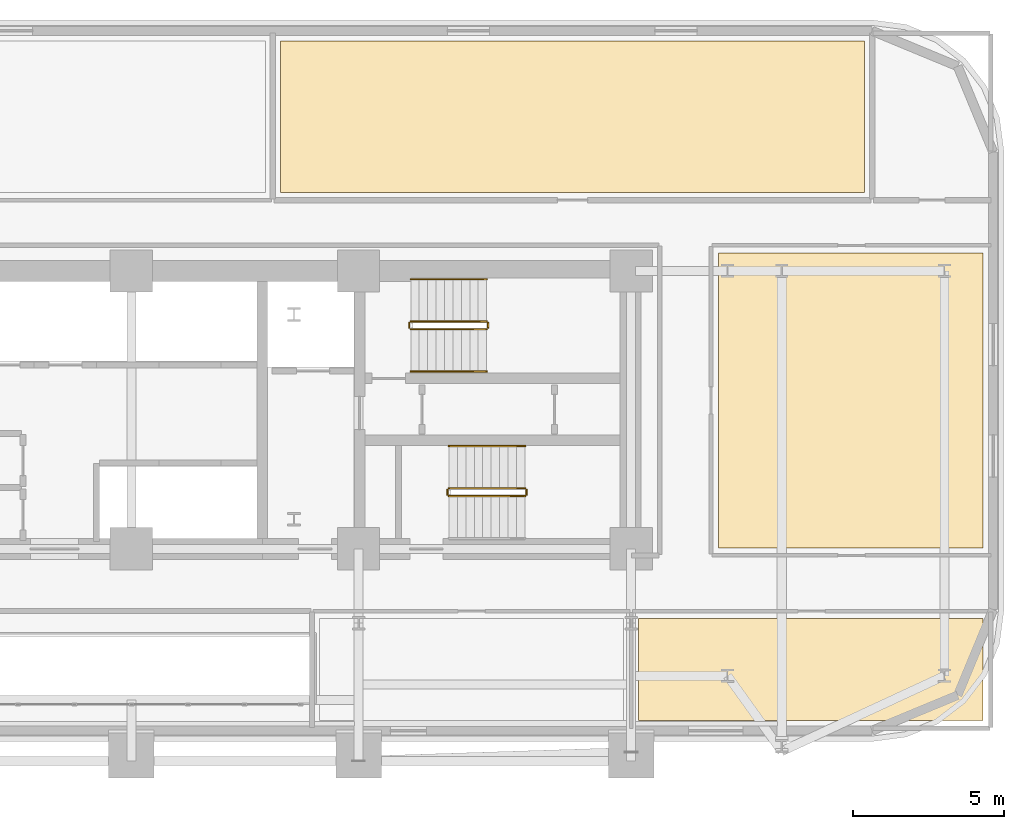
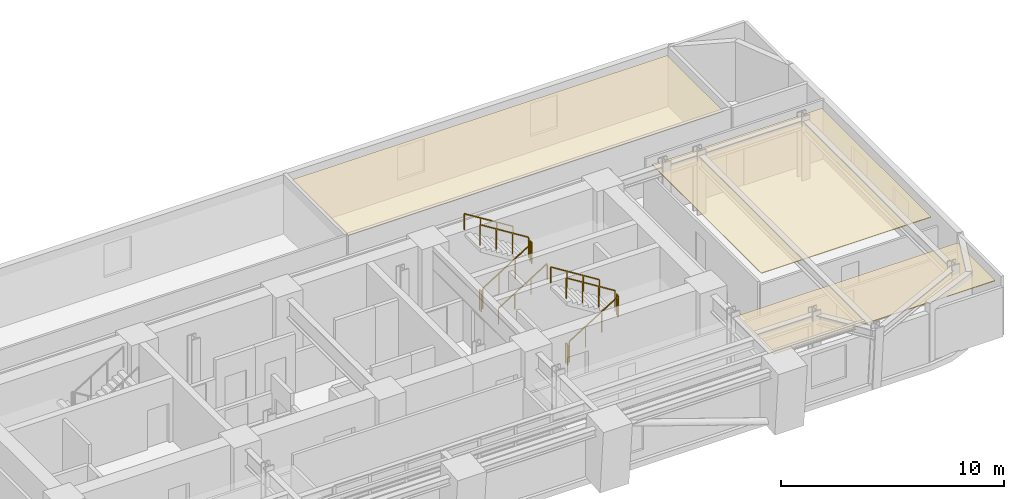
# One storey, part 15 of 15: 11 railings, 3 coverings.
"""IFC4 building model written with IfcOpenShell, lengths in metres."""

from ifc_helpers import new_model, si_unit, direction, frame, origin, origin_2d, place, context, subcontext, project, spatial, polyline, rectangle, outline, extrude, material, layer, layer_set, type_object, element, save


model = new_model("IFC4")

# Units and contexts
model_context = context("Model", 3, precision=1e-05, world=origin(), true_north=direction((0.0, 1.0)))
body_context = subcontext(model_context, "Body", "Model", "MODEL_VIEW")
ifc_project = project(units=[si_unit("LENGTHUNIT", "METRE"), si_unit("AREAUNIT", "SQUARE_METRE"), si_unit("VOLUMEUNIT", "CUBIC_METRE"), si_unit("PLANEANGLEUNIT", "RADIAN"), si_unit("MASSUNIT", "GRAM", prefix="KILO")], contexts=[model_context])

# Site, building, storey
site_placement = place(None, origin())
site = spatial("IfcSite", under=ifc_project, at=site_placement, CompositionType="ELEMENT")
building_placement = place(site_placement, origin())
building = spatial("IfcBuilding", under=site, at=building_placement, Name="Zarnavel Station Tower", CompositionType="ELEMENT")
storey_placement = place(building_placement, frame((0.0, 0.0, 57.0)))
storey = spatial("IfcBuildingStorey", under=building, at=storey_placement, Name="L15", CompositionType="ELEMENT", Elevation=57.0)

# Coverings
ifc_material_1 = material(Name="Perforated Gypsum and Mineral-Wool Acoustic Ceiling", Category="concrete")
ifc_layer = layer(ifc_material_1, 0.0400390625)
ifc_layer_set = layer_set([ifc_layer], Name="COV_CEIL_ACOUSTIC")
covering_type = type_object("IfcCoveringType", Name="COV_CEIL_ACOUSTIC", PredefinedType="CEILING", material=ifc_layer_set)
covering_1_placement = place(storey_placement, frame((0.0, 0.0, 2.919921875)))
element("IfcCovering", 1, at=covering_1_placement, inside=storey, type_object=covering_type, Name="L15 FNE4 Acoustic Ceiling", PredefinedType="CEILING", context=body_context, shape_type="SweptSolid", body=[
    extrude(outline(polyline([(48.300048828125, 27.85009765625), (57.090087890625, 27.85009765625), (57.090087890625, 37.64990234375), (48.300048828125, 37.64990234375), (48.300048828125, 27.85009765625)])), origin(), (0.0, 0.0, 1.0), 0.0400390625),
])
covering_2_placement = place(storey_placement, frame((0.0, 0.0, 2.919921875)))
element("IfcCovering", 2, at=covering_2_placement, inside=storey, type_object=covering_type, Name="L15 NL4B Acoustic Ceiling", PredefinedType="CEILING", context=body_context, shape_type="SweptSolid", body=[
    extrude(outline(polyline([(33.75, 39.64990234375), (53.14990234375, 39.64990234375), (53.14990234375, 44.68994140625), (33.75, 44.68994140625), (33.75, 39.64990234375)])), origin(), (0.0, 0.0, 1.0), 0.0400390625),
])
covering_3_placement = place(storey_placement, frame((0.0, 0.0, 2.919921875)))
element("IfcCovering", 3, at=covering_3_placement, inside=storey, type_object=covering_type, Name="L15 Z1TEA Acoustic Ceiling", PredefinedType="CEILING", context=body_context, shape_type="SweptSolid", body=[
    extrude(outline(polyline([(45.64990234375, 22.110107421875), (57.090087890625, 22.110107421875), (57.090087890625, 25.5), (45.64990234375, 25.5), (45.64990234375, 22.110107421875)])), origin(), (0.0, 0.0, 1.0), 0.0400390625),
])

# Railings
ifc_material_2 = material(Name="Painted Steel S355J2 Balustrade", Category="steel")
railing_type_1 = type_object("IfcRailingType", Name="GR_INT_1150", PredefinedType="GUARDRAIL", material=ifc_material_2)
railing_1_placement = place(storey_placement, frame((38.080078125, 35.110107421875, 0.175048828125)))
element("IfcRailing", 4, at=railing_1_placement, inside=storey, type_object=railing_type_1, Name="L15 ST2 stair guard 1", PredefinedType="GUARDRAIL", context=body_context, shape_type="SweptSolid", body=[
    extrude(rectangle(XDim=0.048095703125, YDim=0.048095703125, at=origin_2d()), frame((0.001708984375, 0.0, 1.126953125), z_axis=(0.848007534815, 0.0, 0.529984170421), x_axis=(0.0, 1.0, 0.0)), (0.0, 0.0, 1.0), 2.9677734375),
    extrude(rectangle(XDim=0.0419921875, YDim=0.0419921875, at=origin_2d()), origin(), (0.0, 0.0, 1.0), 1.101806640625),
    extrude(rectangle(XDim=0.0419921875, YDim=0.0419921875, at=origin_2d()), frame((0.840087890625, 0.0, 0.52490234375)), (0.0, 0.0, 1.0), 1.101806640625),
    extrude(rectangle(XDim=0.0419921875, YDim=0.0419921875, at=origin_2d()), frame((1.679931640625, 0.0, 1.050048828125)), (0.0, 0.0, 1.0), 1.101806640625),
    extrude(rectangle(XDim=0.0419921875, YDim=0.0419921875, at=origin_2d()), frame((2.52001953125, 0.0, 1.574951171875)), (0.0, 0.0, 1.0), 1.101806640625),
])
railing_2_placement = place(storey_placement, frame((40.64990234375, 35.159912109375, 1.75)))
element("IfcRailing", 5, at=railing_2_placement, inside=storey, type_object=railing_type_1, Name="L15 ST2 stair guard 2", PredefinedType="GUARDRAIL", context=body_context, shape_type="SweptSolid", body=[
    extrude(rectangle(XDim=0.048095703125, YDim=0.048095703125, at=origin_2d()), frame((0.0, 0.001953125, 1.1259765625), z_axis=(0.0, 1.0, 0.0), x_axis=(-1.0, 0.0, 0.0)), (0.0, 0.0, 1.0), 0.15625),
    extrude(rectangle(XDim=0.0419921875, YDim=0.0419921875, at=origin_2d()), origin(), (0.0, 0.0, 1.0), 1.101806640625),
    extrude(rectangle(XDim=0.0419921875, YDim=0.0419921875, at=origin_2d()), frame((0.0, 0.16015625, 0.0)), (0.0, 0.0, 1.0), 1.101806640625),
])
railing_3_placement = place(storey_placement, frame((40.60009765625, 35.3701171875, 1.925048828125)))
element("IfcRailing", 6, at=railing_3_placement, inside=storey, type_object=railing_type_1, Name="L15 ST2 stair guard 3", PredefinedType="GUARDRAIL", context=body_context, shape_type="SweptSolid", body=[
    extrude(rectangle(XDim=0.048095703125, YDim=0.048095703125, at=origin_2d()), frame((-0.001708984375, 0.0, 1.126953125), z_axis=(-0.848007534815, 0.0, 0.529984170421), x_axis=(0.0, -1.0, 0.0)), (0.0, 0.0, 1.0), 2.9677734375),
    extrude(rectangle(XDim=0.0419921875, YDim=0.0419921875, at=origin_2d()), origin(), (0.0, 0.0, 1.0), 1.101806640625),
    extrude(rectangle(XDim=0.0419921875, YDim=0.0419921875, at=origin_2d()), frame((-0.840087890625, 0.0, 0.52490234375)), (0.0, 0.0, 1.0), 1.101806640625),
    extrude(rectangle(XDim=0.0419921875, YDim=0.0419921875, at=origin_2d()), frame((-1.679931640625, 0.0, 1.050048828125)), (0.0, 0.0, 1.0), 1.101806640625),
    extrude(rectangle(XDim=0.0419921875, YDim=0.0419921875, at=origin_2d()), frame((-2.52001953125, 0.0, 1.574951171875)), (0.0, 0.0, 1.0), 1.101806640625),
])
railing_4_placement = place(storey_placement, frame((38.030029296875, 35.159912109375, 0.0)))
element("IfcRailing", 7, at=railing_4_placement, inside=storey, type_object=railing_type_1, Name="L15 ST2 stair guard 4", PredefinedType="GUARDRAIL", context=body_context, shape_type="SweptSolid", body=[
    extrude(rectangle(XDim=0.048095703125, YDim=0.048095703125, at=origin_2d()), frame((0.0, 0.001953125, 1.1259765625), z_axis=(0.0, 1.0, 0.0), x_axis=(-1.0, 0.0, 0.0)), (0.0, 0.0, 1.0), 0.15625),
    extrude(rectangle(XDim=0.0419921875, YDim=0.0419921875, at=origin_2d()), origin(), (0.0, 0.0, 1.0), 1.101806640625),
    extrude(rectangle(XDim=0.0419921875, YDim=0.0419921875, at=origin_2d()), frame((0.0, 0.16015625, 0.0)), (0.0, 0.0, 1.0), 1.101806640625),
])
railing_5_placement = place(storey_placement, frame((39.35009765625, 29.570068359375, 0.175048828125)))
element("IfcRailing", 8, at=railing_5_placement, inside=storey, type_object=railing_type_1, Name="L15 ST3 stair guard 1", PredefinedType="GUARDRAIL", context=body_context, shape_type="SweptSolid", body=[
    extrude(rectangle(XDim=0.048095703125, YDim=0.048095703125, at=origin_2d()), frame((0.001708984375, 0.0, 1.126953125), z_axis=(0.848007534815, 0.0, 0.529984170421), x_axis=(0.0, 1.0, 0.0)), (0.0, 0.0, 1.0), 2.9677734375),
    extrude(rectangle(XDim=0.0419921875, YDim=0.0419921875, at=origin_2d()), origin(), (0.0, 0.0, 1.0), 1.101806640625),
    extrude(rectangle(XDim=0.0419921875, YDim=0.0419921875, at=origin_2d()), frame((0.840087890625, 0.0, 0.52490234375)), (0.0, 0.0, 1.0), 1.101806640625),
    extrude(rectangle(XDim=0.0419921875, YDim=0.0419921875, at=origin_2d()), frame((1.679931640625, 0.0, 1.050048828125)), (0.0, 0.0, 1.0), 1.101806640625),
    extrude(rectangle(XDim=0.0419921875, YDim=0.0419921875, at=origin_2d()), frame((2.52001953125, 0.0, 1.574951171875)), (0.0, 0.0, 1.0), 1.101806640625),
])
railing_6_placement = place(storey_placement, frame((41.919921875, 29.6201171875, 1.75)))
element("IfcRailing", 9, at=railing_6_placement, inside=storey, type_object=railing_type_1, Name="L15 ST3 stair guard 2", PredefinedType="GUARDRAIL", context=body_context, shape_type="SweptSolid", body=[
    extrude(rectangle(XDim=0.048095703125, YDim=0.048095703125, at=origin_2d()), frame((0.0, 0.001953125, 1.1259765625), z_axis=(0.0, 1.0, 0.0), x_axis=(-1.0, 0.0, 0.0)), (0.0, 0.0, 1.0), 0.156005859375),
    extrude(rectangle(XDim=0.0419921875, YDim=0.0419921875, at=origin_2d()), origin(), (0.0, 0.0, 1.0), 1.101806640625),
    extrude(rectangle(XDim=0.0419921875, YDim=0.0419921875, at=origin_2d()), frame((0.0, 0.159912109375, 0.0)), (0.0, 0.0, 1.0), 1.101806640625),
])
railing_7_placement = place(storey_placement, frame((41.8701171875, 29.830078125, 1.925048828125)))
element("IfcRailing", 10, at=railing_7_placement, inside=storey, type_object=railing_type_1, Name="L15 ST3 stair guard 3", PredefinedType="GUARDRAIL", context=body_context, shape_type="SweptSolid", body=[
    extrude(rectangle(XDim=0.048095703125, YDim=0.048095703125, at=origin_2d()), frame((-0.001708984375, 0.0, 1.126953125), z_axis=(-0.848007534815, 0.0, 0.529984170421), x_axis=(0.0, -1.0, 0.0)), (0.0, 0.0, 1.0), 2.9677734375),
    extrude(rectangle(XDim=0.0419921875, YDim=0.0419921875, at=origin_2d()), origin(), (0.0, 0.0, 1.0), 1.101806640625),
    extrude(rectangle(XDim=0.0419921875, YDim=0.0419921875, at=origin_2d()), frame((-0.840087890625, 0.0, 0.52490234375)), (0.0, 0.0, 1.0), 1.101806640625),
    extrude(rectangle(XDim=0.0419921875, YDim=0.0419921875, at=origin_2d()), frame((-1.679931640625, 0.0, 1.050048828125)), (0.0, 0.0, 1.0), 1.101806640625),
    extrude(rectangle(XDim=0.0419921875, YDim=0.0419921875, at=origin_2d()), frame((-2.52001953125, 0.0, 1.574951171875)), (0.0, 0.0, 1.0), 1.101806640625),
])
railing_8_placement = place(storey_placement, frame((39.300048828125, 29.6201171875, 0.0)))
element("IfcRailing", 11, at=railing_8_placement, inside=storey, type_object=railing_type_1, Name="L15 ST3 stair guard 4", PredefinedType="GUARDRAIL", context=body_context, shape_type="SweptSolid", body=[
    extrude(rectangle(XDim=0.048095703125, YDim=0.048095703125, at=origin_2d()), frame((0.0, 0.001953125, 1.1259765625), z_axis=(0.0, 1.0, 0.0), x_axis=(-1.0, 0.0, 0.0)), (0.0, 0.0, 1.0), 0.156005859375),
    extrude(rectangle(XDim=0.0419921875, YDim=0.0419921875, at=origin_2d()), origin(), (0.0, 0.0, 1.0), 1.101806640625),
    extrude(rectangle(XDim=0.0419921875, YDim=0.0419921875, at=origin_2d()), frame((0.0, 0.159912109375, 0.0)), (0.0, 0.0, 1.0), 1.101806640625),
])
ifc_material_3 = material(Name="Brushed Stainless Steel S355J2 Handrail", Category="steel")
railing_type_2 = type_object("IfcRailingType", Name="HR_STAIR_900", PredefinedType="HANDRAIL", material=ifc_material_3)
railing_9_placement = place(storey_placement, frame((38.080078125, 33.7099609375, 0.175048828125)))
element("IfcRailing", 12, at=railing_9_placement, inside=storey, type_object=railing_type_2, Name="L15 ST2 stair handrail 1", PredefinedType="HANDRAIL", context=body_context, shape_type="SweptSolid", body=[
    extrude(rectangle(XDim=0.048095703125, YDim=0.048095703125, at=origin_2d()), frame((0.001708984375, 0.0, 0.876953125), z_axis=(0.848007534815, 0.0, 0.529984170421), x_axis=(0.0, 1.0, 0.0)), (0.0, 0.0, 1.0), 2.9677734375),
    extrude(rectangle(XDim=0.0419921875, YDim=0.0419921875, at=origin_2d()), origin(), (0.0, 0.0, 1.0), 0.851806640625),
    extrude(rectangle(XDim=0.0419921875, YDim=0.0419921875, at=origin_2d()), frame((0.840087890625, 0.0, 0.52490234375)), (0.0, 0.0, 1.0), 0.851806640625),
    extrude(rectangle(XDim=0.0419921875, YDim=0.0419921875, at=origin_2d()), frame((1.679931640625, 0.0, 1.050048828125)), (0.0, 0.0, 1.0), 0.851806640625),
    extrude(rectangle(XDim=0.0419921875, YDim=0.0419921875, at=origin_2d()), frame((2.52001953125, 0.0, 1.574951171875)), (0.0, 0.0, 1.0), 0.851806640625),
])
for number, where, name in (
    (13, (40.60009765625, 36.77001953125, 1.925048828125), "L15 ST2 stair handrail 2"),
    (14, (41.8701171875, 31.22998046875, 1.925048828125), "L15 ST3 stair handrail 2"),
):
    element("IfcRailing", number, at=place(storey_placement, frame(where)), inside=storey, type_object=railing_type_2, Name=name, PredefinedType="HANDRAIL", context=body_context, shape_type="SweptSolid", body=[
        extrude(rectangle(XDim=0.048095703125, YDim=0.048095703125, at=origin_2d()), frame((-0.001708984375, 0.0, 0.876953125), z_axis=(-0.848007534815, 0.0, 0.529984170421), x_axis=(0.0, -1.0, 0.0)), (0.0, 0.0, 1.0), 2.9677734375),
        extrude(rectangle(XDim=0.0419921875, YDim=0.0419921875, at=origin_2d()), origin(), (0.0, 0.0, 1.0), 0.851806640625),
        extrude(rectangle(XDim=0.0419921875, YDim=0.0419921875, at=origin_2d()), frame((-0.840087890625, 0.0, 0.52490234375)), (0.0, 0.0, 1.0), 0.851806640625),
        extrude(rectangle(XDim=0.0419921875, YDim=0.0419921875, at=origin_2d()), frame((-1.679931640625, 0.0, 1.050048828125)), (0.0, 0.0, 1.0), 0.851806640625),
        extrude(rectangle(XDim=0.0419921875, YDim=0.0419921875, at=origin_2d()), frame((-2.52001953125, 0.0, 1.574951171875)), (0.0, 0.0, 1.0), 0.851806640625),
    ])

save(model, "model.ifc")
